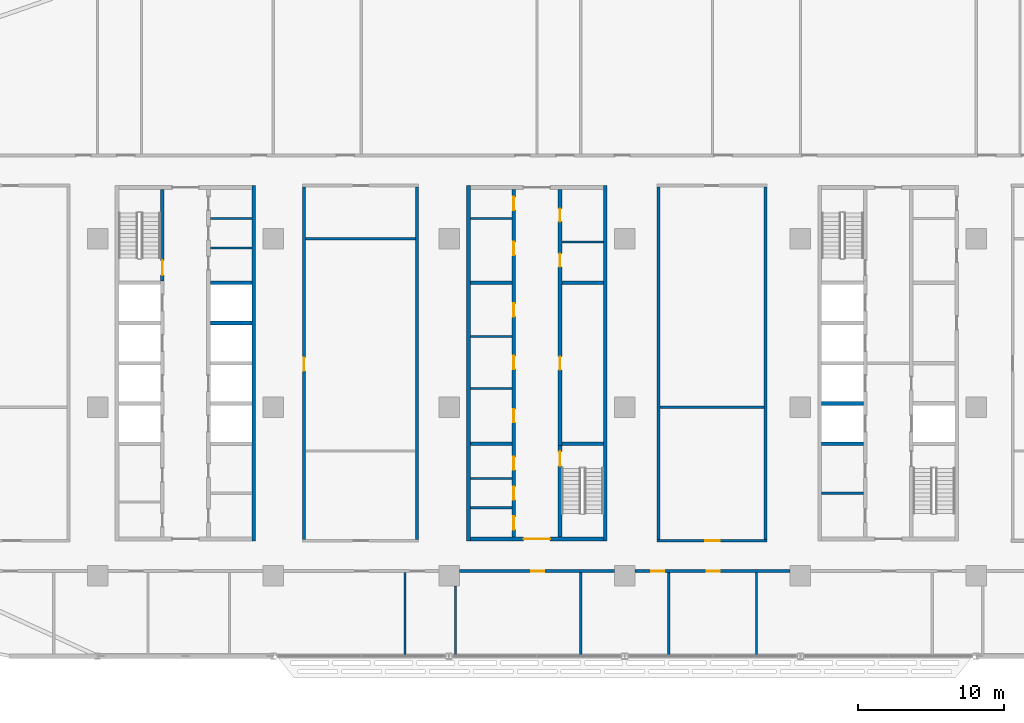
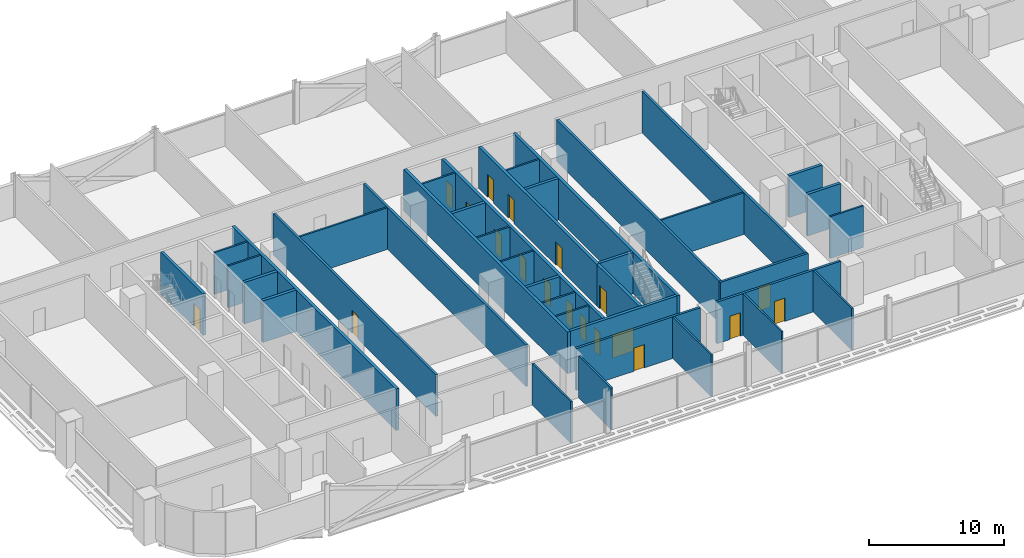
# One storey, part 13 of 29: 39 walls, 19 doors, 19 openings.
"""IFC4 building model written with IfcOpenShell, lengths in metres."""

from ifc_helpers import new_model, si_unit, direction, frame, frame_2d, origin, place, context, subcontext, project, spatial, rectangle, extrude, material, layer, layer_set, type_object, element, fill, save


model = new_model("IFC4")

# Units and contexts
model_context = context("Model", 3, precision=1e-05, world=origin(), true_north=direction((0.0, 1.0)))
body_context = subcontext(model_context, "Body", "Model", "MODEL_VIEW")
ifc_project = project(units=[si_unit("LENGTHUNIT", "METRE"), si_unit("AREAUNIT", "SQUARE_METRE"), si_unit("VOLUMEUNIT", "CUBIC_METRE"), si_unit("PLANEANGLEUNIT", "RADIAN"), si_unit("MASSUNIT", "GRAM", prefix="KILO")], contexts=[model_context])

# Site, building, storey
site_placement = place(None, origin())
site = spatial("IfcSite", under=ifc_project, at=site_placement, CompositionType="ELEMENT")
building_placement = place(site_placement, origin())
building = spatial("IfcBuilding", under=site, at=building_placement, Name="Mahtab Terrace Research Tower", CompositionType="ELEMENT")
storey_placement = place(building_placement, frame((0.0, 0.0, 97.10009765625)))
storey = spatial("IfcBuildingStorey", under=building, at=storey_placement, Name="L22", CompositionType="ELEMENT", Elevation=97.10009765625)

# Walls
ifc_material_1 = material(Name="Gypsum board partition")
ifc_layer_1 = layer(ifc_material_1, 0.14990234375)
ifc_layer_set_1 = layer_set([ifc_layer_1], Name="Core partition 150")
wall_type_1 = type_object("IfcWallType", Name="Core partition 150", PredefinedType="PARTITIONING", material=ifc_layer_set_1)
for number, where, z_axis, x_axis, name in (
    (1, (-22.300048828125, 10.875, 0.0), (0.0, 0.0, 1.0), (1.0, 0.0, 0.0), "Core wall A pEN788"),
    (2, (-22.300048828125, 12.875, 0.0), (0.0, 0.0, 1.0), (1.0, 0.0, 0.0), "Core wall A pEN988"),
    (3, (-4.550048828125, 1.280029296875, 0.0), (0.0, 0.0, 1.0), (1.0, 0.0, 0.0), "Core wall B pWL-172"),
    (4, (-4.550048828125, 4.827392578125, 0.0), (0.0, 0.0, 1.0), (1.0, 0.0, 0.0), "Core wall B pWL183"),
    (5, (-4.550048828125, -6.875, 0.0), (0.0, 0.0, 1.0), (1.0, 0.0, 0.0), "Core wall B pWS-988"),
    (6, (-4.550048828125, -4.875, 0.0), (0.0, 0.0, 1.0), (1.0, 0.0, 0.0), "Core wall B pWS-788"),
    (7, (-4.550048828125, 12.875, 0.0), (0.0, 0.0, 1.0), (1.0, 0.0, 0.0), "Core wall B pWN988"),
    (8, (1.699951171875, 11.27490234375, 0.0), (0.0, 0.0, 1.0), (1.0, 0.0, 0.0), "Core wall B pEN828"),
    (9, (19.449951171875, -5.875, 0.0), (0.0, 0.0, 1.0), (1.0, 0.0, 0.0), "Core wall C pWS-888"),
):
    element("IfcWall", number, at=place(storey_placement, frame(where, z_axis=z_axis, x_axis=x_axis)), inside=storey, type_object=wall_type_1, Name=name, PredefinedType="PARTITIONING", context=body_context, shape_type="SweptSolid", body=[
        extrude(rectangle(XDim=2.85009765625, YDim=0.14990234375, at=frame_2d((1.425048828125, 0.0))), origin(), (0.0, 0.0, 1.0), 3.760009765625),
    ])
ifc_material_2 = material(Name="Concrete C70/85", Category="concrete")
ifc_layer_2 = layer(ifc_material_2, 0.25)
ifc_layer_set_2 = layer_set([ifc_layer_2], Name="Core wall 250")
wall_type_2 = type_object("IfcWallType", Name="Core wall 250", PredefinedType="SOLIDWALL", material=ifc_layer_set_2)
wall_1_placement = place(storey_placement, frame((-19.324951171875, -9.125, 0.0), z_axis=(0.0, 0.0, 1.0), x_axis=(0.0, 1.0, 0.0)))
element("IfcWall", 10, at=wall_1_placement, inside=storey, type_object=wall_type_2, Name="Core wall A outerE", PredefinedType="SOLIDWALL", context=body_context, shape_type="SweptSolid", body=[
    extrude(rectangle(XDim=24.25, YDim=0.25, at=frame_2d((12.125, 0.0))), origin(), (0.0, 0.0, 1.0), 3.760009765625),
])

# Wall, opening, door
wall_2_placement = place(storey_placement, frame((-25.574951171875, 14.875, 0.0), z_axis=(0.0, 0.0, 1.0), x_axis=(0.0, -1.0, 0.0)))
wall_2 = element("IfcWall", 11, at=wall_2_placement, inside=storey, type_object=wall_type_2, Name="Core wall A innerWN", PredefinedType="SOLIDWALL", context=body_context, shape_type="SweptSolid", body=[
    extrude(rectangle(XDim=6.25, YDim=0.25, at=frame_2d((3.125, 0.0))), origin(), (0.0, 0.0, 1.0), 3.760009765625),
])
opening_1_placement = place(wall_2_placement, frame((4.85009765625, 0.0, 0.0)))
opening_1 = element("IfcOpeningElement", 12, at=opening_1_placement, cuts=wall_2, Name="Opening A-ST1", PredefinedType="OPENING", context=body_context, shape_type="SweptSolid", body=[
    extrude(rectangle(XDim=1.0, YDim=2.10009765625, at=frame_2d((0.5, 1.050048828125))), frame((0.0, 0.135009765625, 0.0), z_axis=(0.0, -1.0, 0.0), x_axis=(1.0, 0.0, 0.0)), (0.0, 0.0, 1.0), 0.27001953125),
])
ifc_material_3 = material(Name="Steel fire door", Category="steel")
door_type_1 = type_object("IfcDoorType", Name="Stair door 1000x2100 1.5 HR", OperationType="NOTDEFINED", PredefinedType="DOOR", material=ifc_material_3)
door_1_placement = place(opening_1_placement, origin())
door_1 = element("IfcDoor", 13, at=door_1_placement, inside=storey, type_object=door_type_1, Name="Stair door ST1 L22", OperationType="SINGLE_SWING_RIGHT", OverallHeight=2.10009765625, OverallWidth=1.0, PredefinedType="DOOR", context=body_context, shape_type="SweptSolid", body=[
    extrude(rectangle(XDim=1.0, YDim=2.10009765625, at=frame_2d((0.5, 1.050048828125))), frame((0.0, 0.02490234375, 0.0), z_axis=(0.0, -1.0, 0.0), x_axis=(1.0, 0.0, 0.0)), (0.0, 0.0, 1.0), 0.050048828125),
])
fill(opening_1, door_1)

# Walls
for number, where, z_axis, x_axis, name in (
    (14, (-22.300048828125, 5.75, 0.0), (0.0, 0.0, 1.0), (1.0, 0.0, 0.0), "Core wall A divE3"),
    (15, (-22.300048828125, 8.5, 0.0), (0.0, 0.0, 1.0), (1.0, 0.0, 0.0), "Core wall A divE4"),
):
    element("IfcWall", number, at=place(storey_placement, frame(where, z_axis=z_axis, x_axis=x_axis)), inside=storey, type_object=wall_type_2, Name=name, PredefinedType="SOLIDWALL", context=body_context, shape_type="SweptSolid", body=[
        extrude(rectangle(XDim=2.85009765625, YDim=0.25, at=frame_2d((1.425048828125, 0.0))), origin(), (0.0, 0.0, 1.0), 3.760009765625),
    ])
for number, where, z_axis, x_axis, name in (
    (16, (-4.675048828125, 15.125, 0.0), (0.0, 0.0, 1.0), (0.0, -1.0, 0.0), "Core wall B outerW"),
    (17, (4.675048828125, -9.125, 0.0), (0.0, 0.0, 1.0), (0.0, 1.0, 0.0), "Core wall B outerE"),
):
    element("IfcWall", number, at=place(storey_placement, frame(where, z_axis=z_axis, x_axis=x_axis)), inside=storey, type_object=wall_type_2, Name=name, PredefinedType="SOLIDWALL", context=body_context, shape_type="SweptSolid", body=[
        extrude(rectangle(XDim=24.25, YDim=0.25, at=frame_2d((12.125, 0.0))), origin(), (0.0, 0.0, 1.0), 3.760009765625),
    ])

# Wall, opening, door
wall_3_placement = place(storey_placement, frame((4.550048828125, -9.0, 0.0), z_axis=(0.0, 0.0, 1.0), x_axis=(-1.0, 0.0, 0.0)))
wall_3 = element("IfcWall", 18, at=wall_3_placement, inside=storey, type_object=wall_type_2, Name="Core wall B endS", PredefinedType="SOLIDWALL", context=body_context, shape_type="SweptSolid", body=[
    extrude(rectangle(XDim=9.10009765625, YDim=0.25, at=frame_2d((4.550048828125, 0.0))), origin(), (0.0, 0.0, 1.0), 3.760009765625),
])
opening_2_placement = place(wall_3_placement, frame((3.64990234375, 0.0, 0.0)))
opening_2 = element("IfcOpeningElement", 19, at=opening_2_placement, cuts=wall_3, Name="Opening B-S1", PredefinedType="OPENING", context=body_context, shape_type="SweptSolid", body=[
    extrude(rectangle(XDim=1.800048828125, YDim=2.10009765625, at=frame_2d((0.89990234375, 1.050048828125))), frame((0.0, 0.135009765625, 0.0), z_axis=(0.0, -1.0, 0.0), x_axis=(1.0, 0.0, 0.0)), (0.0, 0.0, 1.0), 0.27001953125),
])
door_type_2 = type_object("IfcDoorType", Name="Lobby double door 1800x2100 1 HR", OperationType="DOUBLE_DOOR_SINGLE_SWING", PredefinedType="DOOR", material=ifc_material_3)
door_2_placement = place(opening_2_placement, origin())
door_2 = element("IfcDoor", 20, at=door_2_placement, inside=storey, type_object=door_type_2, Name="Core entrance door B S", OperationType="DOUBLE_DOOR_SINGLE_SWING", OverallHeight=2.10009765625, OverallWidth=1.800048828125, PredefinedType="DOOR", context=body_context, shape_type="SweptSolid", body=[
    extrude(rectangle(XDim=1.800048828125, YDim=2.10009765625, at=frame_2d((0.89990234375, 1.050048828125))), frame((0.0, 0.02490234375, 0.0), z_axis=(0.0, -1.0, 0.0), x_axis=(1.0, 0.0, 0.0)), (0.0, 0.0, 1.0), 0.050048828125),
])
fill(opening_2, door_2)

# Wall, openings, doors
wall_4_placement = place(storey_placement, frame((-1.574951171875, -8.875, 0.0), z_axis=(0.0, 0.0, 1.0), x_axis=(0.0, 1.0, 0.0)))
wall_4 = element("IfcWall", 21, at=wall_4_placement, inside=storey, type_object=wall_type_2, Name="Core wall B innerWSLN", PredefinedType="SOLIDWALL", context=body_context, shape_type="SweptSolid", body=[
    extrude(rectangle(XDim=23.75, YDim=0.25, at=frame_2d((11.875, 0.0))), origin(), (0.0, 0.0, 1.0), 3.760009765625),
])
opening_3_placement = place(wall_4_placement, frame((7.840087890625, 0.0, 0.0)))
opening_3 = element("IfcOpeningElement", 22, at=opening_3_placement, cuts=wall_4, Name="Opening B-R1", PredefinedType="OPENING", context=body_context, shape_type="SweptSolid", body=[
    extrude(rectangle(XDim=0.89990234375, YDim=2.10009765625, at=frame_2d((0.449951171875, 1.050048828125))), frame((0.0, 0.135009765625, 0.0), z_axis=(0.0, -1.0, 0.0), x_axis=(1.0, 0.0, 0.0)), (0.0, 0.0, 1.0), 0.27001953125),
])
opening_4_placement = place(wall_4_placement, frame((11.478759765625, 0.0, 0.0)))
opening_4 = element("IfcOpeningElement", 23, at=opening_4_placement, cuts=wall_4, Name="Opening B-R2", PredefinedType="OPENING", context=body_context, shape_type="SweptSolid", body=[
    extrude(rectangle(XDim=0.89990234375, YDim=2.10009765625, at=frame_2d((0.449951171875, 1.050048828125))), frame((0.0, 0.135009765625, 0.0), z_axis=(0.0, -1.0, 0.0), x_axis=(1.0, 0.0, 0.0)), (0.0, 0.0, 1.0), 0.27001953125),
])
opening_5_placement = place(wall_4_placement, frame((15.063720703125, 0.0, 0.0)))
opening_5 = element("IfcOpeningElement", 24, at=opening_5_placement, cuts=wall_4, Name="Opening B-R3", PredefinedType="OPENING", context=body_context, shape_type="SweptSolid", body=[
    extrude(rectangle(XDim=0.89990234375, YDim=2.10009765625, at=frame_2d((0.449951171875, 1.050048828125))), frame((0.0, 0.135009765625, 0.0), z_axis=(0.0, -1.0, 0.0), x_axis=(1.0, 0.0, 0.0)), (0.0, 0.0, 1.0), 0.27001953125),
])
opening_6_placement = place(wall_4_placement, frame((0.512451171875, 0.0, 0.0)))
opening_6 = element("IfcOpeningElement", 25, at=opening_6_placement, cuts=wall_4, Name="Opening B-R5", PredefinedType="OPENING", context=body_context, shape_type="SweptSolid", body=[
    extrude(rectangle(XDim=0.89990234375, YDim=2.10009765625, at=frame_2d((0.449951171875, 1.050048828125))), frame((0.0, 0.135009765625, 0.0), z_axis=(0.0, -1.0, 0.0), x_axis=(1.0, 0.0, 0.0)), (0.0, 0.0, 1.0), 0.27001953125),
])
opening_7_placement = place(wall_4_placement, frame((2.550048828125, 0.0, 0.0)))
opening_7 = element("IfcOpeningElement", 26, at=opening_7_placement, cuts=wall_4, Name="Opening B-R6", PredefinedType="OPENING", context=body_context, shape_type="SweptSolid", body=[
    extrude(rectangle(XDim=0.89990234375, YDim=2.10009765625, at=frame_2d((0.449951171875, 1.050048828125))), frame((0.0, 0.135009765625, 0.0), z_axis=(0.0, -1.0, 0.0), x_axis=(1.0, 0.0, 0.0)), (0.0, 0.0, 1.0), 0.27001953125),
])
opening_8_placement = place(wall_4_placement, frame((4.58740234375, 0.0, 0.0)))
opening_8 = element("IfcOpeningElement", 27, at=opening_8_placement, cuts=wall_4, Name="Opening B-R7", PredefinedType="OPENING", context=body_context, shape_type="SweptSolid", body=[
    extrude(rectangle(XDim=0.89990234375, YDim=2.10009765625, at=frame_2d((0.449951171875, 1.050048828125))), frame((0.0, 0.135009765625, 0.0), z_axis=(0.0, -1.0, 0.0), x_axis=(1.0, 0.0, 0.0)), (0.0, 0.0, 1.0), 0.27001953125),
])
opening_9_placement = place(wall_4_placement, frame((19.262451171875, 0.0, 0.0)))
opening_9 = element("IfcOpeningElement", 28, at=opening_9_placement, cuts=wall_4, Name="Opening B-R8", PredefinedType="OPENING", context=body_context, shape_type="SweptSolid", body=[
    extrude(rectangle(XDim=0.89990234375, YDim=2.10009765625, at=frame_2d((0.449951171875, 1.050048828125))), frame((0.0, 0.135009765625, 0.0), z_axis=(0.0, -1.0, 0.0), x_axis=(1.0, 0.0, 0.0)), (0.0, 0.0, 1.0), 0.27001953125),
])
opening_10_placement = place(wall_4_placement, frame((22.33740234375, 0.0, 0.0)))
opening_10 = element("IfcOpeningElement", 29, at=opening_10_placement, cuts=wall_4, Name="Opening B-R9", PredefinedType="OPENING", context=body_context, shape_type="SweptSolid", body=[
    extrude(rectangle(XDim=0.89990234375, YDim=2.10009765625, at=frame_2d((0.449951171875, 1.050048828125))), frame((0.0, 0.135009765625, 0.0), z_axis=(0.0, -1.0, 0.0), x_axis=(1.0, 0.0, 0.0)), (0.0, 0.0, 1.0), 0.27001953125),
])
door_type_3 = type_object("IfcDoorType", Name="Room door 900x2100 1 HR", OperationType="NOTDEFINED", PredefinedType="DOOR", material=ifc_material_3)
door_3_placement = place(opening_3_placement, origin())
door_3 = element("IfcDoor", 30, at=door_3_placement, inside=storey, type_object=door_type_3, Name="Battery room door", OperationType="SINGLE_SWING_LEFT", OverallHeight=2.10009765625, OverallWidth=0.89990234375, PredefinedType="DOOR", context=body_context, shape_type="SweptSolid", body=[
    extrude(rectangle(XDim=0.89990234375, YDim=2.10009765625, at=frame_2d((0.449951171875, 1.050048828125))), frame((0.0, 0.02490234375, 0.0), z_axis=(0.0, -1.0, 0.0), x_axis=(1.0, 0.0, 0.0)), (0.0, 0.0, 1.0), 0.050048828125),
])
fill(opening_3, door_3)
door_4_placement = place(opening_4_placement, origin())
door_4 = element("IfcDoor", 31, at=door_4_placement, inside=storey, type_object=door_type_3, Name="Cooling plant room door", OperationType="SINGLE_SWING_RIGHT", OverallHeight=2.10009765625, OverallWidth=0.89990234375, PredefinedType="DOOR", context=body_context, shape_type="SweptSolid", body=[
    extrude(rectangle(XDim=0.89990234375, YDim=2.10009765625, at=frame_2d((0.449951171875, 1.050048828125))), frame((0.0, 0.02490234375, 0.0), z_axis=(0.0, -1.0, 0.0), x_axis=(1.0, 0.0, 0.0)), (0.0, 0.0, 1.0), 0.050048828125),
])
fill(opening_4, door_4)
door_5_placement = place(opening_5_placement, origin())
door_5 = element("IfcDoor", 32, at=door_5_placement, inside=storey, type_object=door_type_3, Name="Spare parts store door", OperationType="SINGLE_SWING_LEFT", OverallHeight=2.10009765625, OverallWidth=0.89990234375, PredefinedType="DOOR", context=body_context, shape_type="SweptSolid", body=[
    extrude(rectangle(XDim=0.89990234375, YDim=2.10009765625, at=frame_2d((0.449951171875, 1.050048828125))), frame((0.0, 0.02490234375, 0.0), z_axis=(0.0, -1.0, 0.0), x_axis=(1.0, 0.0, 0.0)), (0.0, 0.0, 1.0), 0.050048828125),
])
fill(opening_5, door_5)
door_6_placement = place(opening_6_placement, origin())
door_6 = element("IfcDoor", 33, at=door_6_placement, inside=storey, type_object=door_type_3, Name="Comms riser room door", OperationType="SINGLE_SWING_LEFT", OverallHeight=2.10009765625, OverallWidth=0.89990234375, PredefinedType="DOOR", context=body_context, shape_type="SweptSolid", body=[
    extrude(rectangle(XDim=0.89990234375, YDim=2.10009765625, at=frame_2d((0.449951171875, 1.050048828125))), frame((0.0, 0.02490234375, 0.0), z_axis=(0.0, -1.0, 0.0), x_axis=(1.0, 0.0, 0.0)), (0.0, 0.0, 1.0), 0.050048828125),
])
fill(opening_6, door_6)
door_7_placement = place(opening_7_placement, origin())
door_7 = element("IfcDoor", 34, at=door_7_placement, inside=storey, type_object=door_type_3, Name="Pantry door", OperationType="SINGLE_SWING_RIGHT", OverallHeight=2.10009765625, OverallWidth=0.89990234375, PredefinedType="DOOR", context=body_context, shape_type="SweptSolid", body=[
    extrude(rectangle(XDim=0.89990234375, YDim=2.10009765625, at=frame_2d((0.449951171875, 1.050048828125))), frame((0.0, 0.02490234375, 0.0), z_axis=(0.0, -1.0, 0.0), x_axis=(1.0, 0.0, 0.0)), (0.0, 0.0, 1.0), 0.050048828125),
])
fill(opening_7, door_7)
door_8_placement = place(opening_8_placement, origin())
door_8 = element("IfcDoor", 35, at=door_8_placement, inside=storey, type_object=door_type_3, Name="Cleaners store door", OperationType="SINGLE_SWING_LEFT", OverallHeight=2.10009765625, OverallWidth=0.89990234375, PredefinedType="DOOR", context=body_context, shape_type="SweptSolid", body=[
    extrude(rectangle(XDim=0.89990234375, YDim=2.10009765625, at=frame_2d((0.449951171875, 1.050048828125))), frame((0.0, 0.02490234375, 0.0), z_axis=(0.0, -1.0, 0.0), x_axis=(1.0, 0.0, 0.0)), (0.0, 0.0, 1.0), 0.050048828125),
])
fill(opening_8, door_8)
door_9_placement = place(opening_9_placement, origin())
door_9 = element("IfcDoor", 36, at=door_9_placement, inside=storey, type_object=door_type_3, Name="IT equipment room door", OperationType="SINGLE_SWING_RIGHT", OverallHeight=2.10009765625, OverallWidth=0.89990234375, PredefinedType="DOOR", context=body_context, shape_type="SweptSolid", body=[
    extrude(rectangle(XDim=0.89990234375, YDim=2.10009765625, at=frame_2d((0.449951171875, 1.050048828125))), frame((0.0, 0.02490234375, 0.0), z_axis=(0.0, -1.0, 0.0), x_axis=(1.0, 0.0, 0.0)), (0.0, 0.0, 1.0), 0.050048828125),
])
fill(opening_9, door_9)
door_10_placement = place(opening_10_placement, origin())
door_10 = element("IfcDoor", 37, at=door_10_placement, inside=storey, type_object=door_type_3, Name="Electrical riser room door", OperationType="SINGLE_SWING_LEFT", OverallHeight=2.10009765625, OverallWidth=0.89990234375, PredefinedType="DOOR", context=body_context, shape_type="SweptSolid", body=[
    extrude(rectangle(XDim=0.89990234375, YDim=2.10009765625, at=frame_2d((0.449951171875, 1.050048828125))), frame((0.0, 0.02490234375, 0.0), z_axis=(0.0, -1.0, 0.0), x_axis=(1.0, 0.0, 0.0)), (0.0, 0.0, 1.0), 0.050048828125),
])
fill(opening_10, door_10)

# Wall, opening, door
wall_5_placement = place(storey_placement, frame((1.574951171875, -8.875, 0.0), z_axis=(0.0, 0.0, 1.0), x_axis=(0.0, 1.0, 0.0)))
wall_5 = element("IfcWall", 38, at=wall_5_placement, inside=storey, type_object=wall_type_2, Name="Core wall B innerES", PredefinedType="SOLIDWALL", context=body_context, shape_type="SweptSolid", body=[
    extrude(rectangle(XDim=6.25, YDim=0.25, at=frame_2d((3.125, 0.0))), origin(), (0.0, 0.0, 1.0), 3.760009765625),
])
opening_11_placement = place(wall_5_placement, frame((4.85009765625, 0.0, 0.0)))
opening_11 = element("IfcOpeningElement", 39, at=opening_11_placement, cuts=wall_5, Name="Opening B-ST2", PredefinedType="OPENING", context=body_context, shape_type="SweptSolid", body=[
    extrude(rectangle(XDim=1.0, YDim=2.10009765625, at=frame_2d((0.5, 1.050048828125))), frame((0.0, 0.135009765625, 0.0), z_axis=(0.0, -1.0, 0.0), x_axis=(1.0, 0.0, 0.0)), (0.0, 0.0, 1.0), 0.27001953125),
])
door_11_placement = place(opening_11_placement, origin())
door_11 = element("IfcDoor", 40, at=door_11_placement, inside=storey, type_object=door_type_1, Name="Stair door ST2 L22", OperationType="SINGLE_SWING_RIGHT", OverallHeight=2.10009765625, OverallWidth=1.0, PredefinedType="DOOR", context=body_context, shape_type="SweptSolid", body=[
    extrude(rectangle(XDim=1.0, YDim=2.10009765625, at=frame_2d((0.5, 1.050048828125))), frame((0.0, 0.02490234375, 0.0), z_axis=(0.0, -1.0, 0.0), x_axis=(1.0, 0.0, 0.0)), (0.0, 0.0, 1.0), 0.050048828125),
])
fill(opening_11, door_11)

# Wall, openings, doors
wall_6_placement = place(storey_placement, frame((1.574951171875, 14.875, 0.0), z_axis=(0.0, 0.0, 1.0), x_axis=(0.0, -1.0, 0.0)))
wall_6 = element("IfcWall", 41, at=wall_6_placement, inside=storey, type_object=wall_type_2, Name="Core wall B innerELN", PredefinedType="SOLIDWALL", context=body_context, shape_type="SweptSolid", body=[
    extrude(rectangle(XDim=17.5, YDim=0.25, at=frame_2d((8.75, 0.0))), origin(), (0.0, 0.0, 1.0), 3.760009765625),
])
opening_12_placement = place(wall_6_placement, frame((11.425048828125, 0.0, 0.0)))
opening_12 = element("IfcOpeningElement", 42, at=opening_12_placement, cuts=wall_6, Name="Opening B-R4", PredefinedType="OPENING", context=body_context, shape_type="SweptSolid", body=[
    extrude(rectangle(XDim=0.89990234375, YDim=2.10009765625, at=frame_2d((0.449951171875, 1.050048828125))), frame((0.0, 0.135009765625, 0.0), z_axis=(0.0, -1.0, 0.0), x_axis=(1.0, 0.0, 0.0)), (0.0, 0.0, 1.0), 0.27001953125),
])
opening_13_placement = place(wall_6_placement, frame((4.387451171875, 0.0, 0.0)))
opening_13 = element("IfcOpeningElement", 43, at=opening_13_placement, cuts=wall_6, Name="Opening B-R10", PredefinedType="OPENING", context=body_context, shape_type="SweptSolid", body=[
    extrude(rectangle(XDim=0.89990234375, YDim=2.10009765625, at=frame_2d((0.449951171875, 1.050048828125))), frame((0.0, 0.135009765625, 0.0), z_axis=(0.0, -1.0, 0.0), x_axis=(1.0, 0.0, 0.0)), (0.0, 0.0, 1.0), 0.27001953125),
])
opening_14_placement = place(wall_6_placement, frame((1.3125, 0.0, 0.0)))
opening_14 = element("IfcOpeningElement", 44, at=opening_14_placement, cuts=wall_6, Name="Opening B-R11", PredefinedType="OPENING", context=body_context, shape_type="SweptSolid", body=[
    extrude(rectangle(XDim=0.89990234375, YDim=2.10009765625, at=frame_2d((0.449951171875, 1.050048828125))), frame((0.0, 0.135009765625, 0.0), z_axis=(0.0, -1.0, 0.0), x_axis=(1.0, 0.0, 0.0)), (0.0, 0.0, 1.0), 0.27001953125),
])
door_12_placement = place(opening_12_placement, origin())
door_12 = element("IfcDoor", 45, at=door_12_placement, inside=storey, type_object=door_type_3, Name="Plant room door", OperationType="SINGLE_SWING_RIGHT", OverallHeight=2.10009765625, OverallWidth=0.89990234375, PredefinedType="DOOR", context=body_context, shape_type="SweptSolid", body=[
    extrude(rectangle(XDim=0.89990234375, YDim=2.10009765625, at=frame_2d((0.449951171875, 1.050048828125))), frame((0.0, 0.02490234375, 0.0), z_axis=(0.0, -1.0, 0.0), x_axis=(1.0, 0.0, 0.0)), (0.0, 0.0, 1.0), 0.050048828125),
])
fill(opening_12, door_12)
door_13_placement = place(opening_13_placement, origin())
door_13 = element("IfcDoor", 46, at=door_13_placement, inside=storey, type_object=door_type_3, Name="Accessible WC door", OperationType="SINGLE_SWING_RIGHT", OverallHeight=2.10009765625, OverallWidth=0.89990234375, PredefinedType="DOOR", context=body_context, shape_type="SweptSolid", body=[
    extrude(rectangle(XDim=0.89990234375, YDim=2.10009765625, at=frame_2d((0.449951171875, 1.050048828125))), frame((0.0, 0.02490234375, 0.0), z_axis=(0.0, -1.0, 0.0), x_axis=(1.0, 0.0, 0.0)), (0.0, 0.0, 1.0), 0.050048828125),
])
fill(opening_13, door_13)
door_14_placement = place(opening_14_placement, origin())
door_14 = element("IfcDoor", 47, at=door_14_placement, inside=storey, type_object=door_type_3, Name="WC block door", OperationType="SINGLE_SWING_LEFT", OverallHeight=2.10009765625, OverallWidth=0.89990234375, PredefinedType="DOOR", context=body_context, shape_type="SweptSolid", body=[
    extrude(rectangle(XDim=0.89990234375, YDim=2.10009765625, at=frame_2d((0.449951171875, 1.050048828125))), frame((0.0, 0.02490234375, 0.0), z_axis=(0.0, -1.0, 0.0), x_axis=(1.0, 0.0, 0.0)), (0.0, 0.0, 1.0), 0.050048828125),
])
fill(opening_14, door_14)

# Walls
for number, where, z_axis, x_axis, name in (
    (48, (-4.550048828125, -2.5, 0.0), (0.0, 0.0, 1.0), (1.0, 0.0, 0.0), "Core wall B divW0"),
    (49, (-4.550048828125, 8.5, 0.0), (0.0, 0.0, 1.0), (1.0, 0.0, 0.0), "Core wall B divW4"),
    (50, (1.699951171875, -2.5, 0.0), (0.0, 0.0, 1.0), (1.0, 0.0, 0.0), "Core wall B divE0"),
    (51, (1.699951171875, 8.5, 0.0), (0.0, 0.0, 1.0), (1.0, 0.0, 0.0), "Core wall B divE4"),
    (52, (19.449951171875, -2.5, 0.0), (0.0, 0.0, 1.0), (1.0, 0.0, 0.0), "Core wall C divW0"),
    (53, (19.449951171875, 0.25, 0.0), (0.0, 0.0, 1.0), (1.0, 0.0, 0.0), "Core wall C divW1"),
):
    element("IfcWall", number, at=place(storey_placement, frame(where, z_axis=z_axis, x_axis=x_axis)), inside=storey, type_object=wall_type_2, Name=name, PredefinedType="SOLIDWALL", context=body_context, shape_type="SweptSolid", body=[
        extrude(rectangle(XDim=2.85009765625, YDim=0.25, at=frame_2d((1.425048828125, 0.0))), origin(), (0.0, 0.0, 1.0), 3.760009765625),
    ])

# Wall, opening, door
ifc_material_4 = material(Name="Gypsum board corridor wall on steel studs", Category="steel")
ifc_layer_3 = layer(ifc_material_4, 0.199951171875)
ifc_layer_set_3 = layer_set([ifc_layer_3], Name="WALL CORRIDOR 200")
wall_type_3 = type_object("IfcWallType", Name="WALL CORRIDOR 200", PredefinedType="PARTITIONING", material=ifc_layer_set_3)
wall_7_placement = place(storey_placement, frame((-5.300048828125, -11.199951171875, 0.0), z_axis=(0.0, 0.0, 1.0), x_axis=(1.0, 0.0, 0.0)))
wall_7 = element("IfcWall", 54, at=wall_7_placement, inside=storey, type_object=wall_type_3, Name="L22-W004", PredefinedType="PARTITIONING", context=body_context, shape_type="SweptSolid", body=[
    extrude(rectangle(XDim=10.60009765625, YDim=0.199951171875, at=frame_2d((5.300048828125, 0.0))), origin(), (0.0, 0.0, 1.0), 3.760009765625),
])
opening_15_placement = place(wall_7_placement, frame((4.89990234375, 0.0, 0.0)))
opening_15 = element("IfcOpeningElement", 55, at=opening_15_placement, cuts=wall_7, Name="Opening L22-106", PredefinedType="OPENING", context=body_context, shape_type="SweptSolid", body=[
    extrude(rectangle(XDim=0.89990234375, YDim=2.10009765625, at=frame_2d((0.449951171875, 1.050048828125))), frame((0.0, 0.10986328125, 0.0), z_axis=(0.0, -1.0, 0.0), x_axis=(1.0, 0.0, 0.0)), (0.0, 0.0, 1.0), 0.219970703125),
])
ifc_material_5 = material(Name="Timber door leaf in steel frame", Category="steel")
door_type_4 = type_object("IfcDoorType", Name="DOOR 0900X2100 FD30S", OperationType="SINGLE_SWING_LEFT", PredefinedType="DOOR", material=ifc_material_5)
door_15_placement = place(opening_15_placement, origin())
door_15 = element("IfcDoor", 56, at=door_15_placement, inside=storey, type_object=door_type_4, Name="Door L22-106", OperationType="SINGLE_SWING_LEFT", OverallHeight=2.10009765625, OverallWidth=0.89990234375, PredefinedType="DOOR", context=body_context, shape_type="SweptSolid", body=[
    extrude(rectangle(XDim=0.89990234375, YDim=2.10009765625, at=frame_2d((0.449951171875, 1.050048828125))), frame((0.0, 0.02490234375, 0.0), z_axis=(0.0, -1.0, 0.0), x_axis=(1.0, 0.0, 0.0)), (0.0, 0.0, 1.0), 0.050048828125),
])
fill(opening_15, door_15)

# Wall, openings, doors
wall_8_placement = place(storey_placement, frame((6.699951171875, -11.199951171875, 0.0), z_axis=(0.0, 0.0, 1.0), x_axis=(1.0, 0.0, 0.0)))
wall_8 = element("IfcWall", 57, at=wall_8_placement, inside=storey, type_object=wall_type_3, Name="L22-W005", PredefinedType="PARTITIONING", context=body_context, shape_type="SweptSolid", body=[
    extrude(rectangle(XDim=10.60009765625, YDim=0.199951171875, at=frame_2d((5.300048828125, 0.0))), origin(), (0.0, 0.0, 1.0), 3.760009765625),
])
opening_16_placement = place(wall_8_placement, frame((1.10009765625, 0.0, 0.0)))
opening_16 = element("IfcOpeningElement", 58, at=opening_16_placement, cuts=wall_8, Name="Opening L22-107", PredefinedType="OPENING", context=body_context, shape_type="SweptSolid", body=[
    extrude(rectangle(XDim=0.89990234375, YDim=2.10009765625, at=frame_2d((0.449951171875, 1.050048828125))), frame((0.0, 0.10986328125, 0.0), z_axis=(0.0, -1.0, 0.0), x_axis=(1.0, 0.0, 0.0)), (0.0, 0.0, 1.0), 0.219970703125),
])
opening_17_placement = place(wall_8_placement, frame((4.89990234375, 0.0, 0.0)))
opening_17 = element("IfcOpeningElement", 59, at=opening_17_placement, cuts=wall_8, Name="Opening L22-108", PredefinedType="OPENING", context=body_context, shape_type="SweptSolid", body=[
    extrude(rectangle(XDim=0.89990234375, YDim=2.10009765625, at=frame_2d((0.449951171875, 1.050048828125))), frame((0.0, 0.10986328125, 0.0), z_axis=(0.0, -1.0, 0.0), x_axis=(1.0, 0.0, 0.0)), (0.0, 0.0, 1.0), 0.219970703125),
])
door_16_placement = place(opening_16_placement, origin())
door_16 = element("IfcDoor", 60, at=door_16_placement, inside=storey, type_object=door_type_4, Name="Door L22-107", OperationType="SINGLE_SWING_RIGHT", OverallHeight=2.10009765625, OverallWidth=0.89990234375, PredefinedType="DOOR", context=body_context, shape_type="SweptSolid", body=[
    extrude(rectangle(XDim=0.89990234375, YDim=2.10009765625, at=frame_2d((0.449951171875, 1.050048828125))), frame((0.0, 0.02490234375, 0.0), z_axis=(0.0, -1.0, 0.0), x_axis=(1.0, 0.0, 0.0)), (0.0, 0.0, 1.0), 0.050048828125),
])
fill(opening_16, door_16)
door_17_placement = place(opening_17_placement, origin())
door_17 = element("IfcDoor", 61, at=door_17_placement, inside=storey, type_object=door_type_4, Name="Door L22-108", OperationType="SINGLE_SWING_LEFT", OverallHeight=2.10009765625, OverallWidth=0.89990234375, PredefinedType="DOOR", context=body_context, shape_type="SweptSolid", body=[
    extrude(rectangle(XDim=0.89990234375, YDim=2.10009765625, at=frame_2d((0.449951171875, 1.050048828125))), frame((0.0, 0.02490234375, 0.0), z_axis=(0.0, -1.0, 0.0), x_axis=(1.0, 0.0, 0.0)), (0.0, 0.0, 1.0), 0.050048828125),
])
fill(opening_17, door_17)

# Wall, opening, door
wall_9_placement = place(storey_placement, frame((8.199951171875, -9.125, 0.0), z_axis=(0.0, 0.0, 1.0), x_axis=(1.0, 0.0, 0.0)))
wall_9 = element("IfcWall", 62, at=wall_9_placement, inside=storey, type_object=wall_type_3, Name="L22-W011", PredefinedType="PARTITIONING", context=body_context, shape_type="SweptSolid", body=[
    extrude(rectangle(XDim=7.5, YDim=0.199951171875, at=frame_2d((3.75, 0.0))), origin(), (0.0, 0.0, 1.0), 3.760009765625),
])
opening_18_placement = place(wall_9_placement, frame((3.300048828125, 0.0, 0.0)))
opening_18 = element("IfcOpeningElement", 63, at=opening_18_placement, cuts=wall_9, Name="Opening L22-118", PredefinedType="OPENING", context=body_context, shape_type="SweptSolid", body=[
    extrude(rectangle(XDim=1.0, YDim=2.10009765625, at=frame_2d((0.5, 1.050048828125))), frame((0.0, 0.10986328125, 0.0), z_axis=(0.0, -1.0, 0.0), x_axis=(1.0, 0.0, 0.0)), (0.0, 0.0, 1.0), 0.219970703125),
])
door_type_5 = type_object("IfcDoorType", Name="DOOR 1000X2100 FD30S", OperationType="SINGLE_SWING_LEFT", PredefinedType="DOOR", material=ifc_material_5)
door_18_placement = place(opening_18_placement, origin())
door_18 = element("IfcDoor", 64, at=door_18_placement, inside=storey, type_object=door_type_5, Name="Door L22-118", OperationType="SINGLE_SWING_RIGHT", OverallHeight=2.10009765625, OverallWidth=1.0, PredefinedType="DOOR", context=body_context, shape_type="SweptSolid", body=[
    extrude(rectangle(XDim=1.0, YDim=2.10009765625, at=frame_2d((0.5, 1.050048828125))), frame((0.0, 0.02490234375, 0.0), z_axis=(0.0, -1.0, 0.0), x_axis=(1.0, 0.0, 0.0)), (0.0, 0.0, 1.0), 0.050048828125),
])
fill(opening_18, door_18)

wall_10_placement = place(storey_placement, frame((-15.89990234375, -9.02490234375, 0.0), z_axis=(0.0, 0.0, 1.0), x_axis=(0.0, 1.0, 0.0)))
wall_10 = element("IfcWall", 65, at=wall_10_placement, inside=storey, type_object=wall_type_3, Name="L22-W033", PredefinedType="PARTITIONING", context=body_context, shape_type="SweptSolid", body=[
    extrude(rectangle(XDim=24.0498046875, YDim=0.199951171875, at=frame_2d((12.02490234375, 0.0))), origin(), (0.0, 0.0, 1.0), 3.760009765625),
])
opening_19_placement = place(wall_10_placement, frame((11.5, 0.0, 0.0)))
opening_19 = element("IfcOpeningElement", 66, at=opening_19_placement, cuts=wall_10, Name="Opening L22-119", PredefinedType="OPENING", context=body_context, shape_type="SweptSolid", body=[
    extrude(rectangle(XDim=0.89990234375, YDim=2.10009765625, at=frame_2d((0.449951171875, 1.050048828125))), frame((0.0, 0.10986328125, 0.0), z_axis=(0.0, -1.0, 0.0), x_axis=(1.0, 0.0, 0.0)), (0.0, 0.0, 1.0), 0.219970703125),
])
door_19_placement = place(opening_19_placement, origin())
door_19 = element("IfcDoor", 67, at=door_19_placement, inside=storey, type_object=door_type_4, Name="Door L22-119", OperationType="SINGLE_SWING_RIGHT", OverallHeight=2.10009765625, OverallWidth=0.89990234375, PredefinedType="DOOR", context=body_context, shape_type="SweptSolid", body=[
    extrude(rectangle(XDim=0.89990234375, YDim=2.10009765625, at=frame_2d((0.449951171875, 1.050048828125))), frame((0.0, 0.02490234375, 0.0), z_axis=(0.0, -1.0, 0.0), x_axis=(1.0, 0.0, 0.0)), (0.0, 0.0, 1.0), 0.050048828125),
])
fill(opening_19, door_19)

# Walls
for number, where, z_axis, x_axis, name in (
    (68, (-8.199951171875, -9.02490234375, 0.0), (0.0, 0.0, 1.0), (0.0, 1.0, 0.0), "L22-W036"),
    (69, (8.300048828125, -9.02490234375, 0.0), (0.0, 0.0, 1.0), (0.0, 1.0, 0.0), "L22-W041"),
    (70, (15.60009765625, -9.02490234375, 0.0), (0.0, 0.0, 1.0), (0.0, 1.0, 0.0), "L22-W045"),
):
    element("IfcWall", number, at=place(storey_placement, frame(where, z_axis=z_axis, x_axis=x_axis)), inside=storey, type_object=wall_type_3, Name=name, PredefinedType="PARTITIONING", context=body_context, shape_type="SweptSolid", body=[
        extrude(rectangle(XDim=24.0498046875, YDim=0.199951171875, at=frame_2d((12.02490234375, 0.0))), origin(), (0.0, 0.0, 1.0), 3.760009765625),
    ])
ifc_material_6 = material(Name="Gypsum board partition on steel studs", Category="steel")
ifc_layer_4 = layer(ifc_material_6, 0.14990234375)
ifc_layer_set_4 = layer_set([ifc_layer_4], Name="WALL PARTITION 150")
wall_type_4 = type_object("IfcWallType", Name="WALL PARTITION 150", PredefinedType="PARTITIONING", material=ifc_layer_set_4)
wall_11_placement = place(storey_placement, frame((8.39990234375, 0.0, 0.0), z_axis=(0.0, 0.0, 1.0), x_axis=(1.0, 0.0, 0.0)))
element("IfcWall", 71, at=wall_11_placement, inside=storey, type_object=wall_type_4, Name="L22-W016", PredefinedType="PARTITIONING", context=body_context, shape_type="SweptSolid", body=[
    extrude(rectangle(XDim=7.10009765625, YDim=0.14990234375, at=frame_2d((3.550048828125, 0.0))), origin(), (0.0, 0.0, 1.0), 3.760009765625),
])
wall_12_placement = place(storey_placement, frame((-15.800048828125, 11.5, 0.0), z_axis=(0.0, 0.0, 1.0), x_axis=(1.0, 0.0, 0.0)))
element("IfcWall", 72, at=wall_12_placement, inside=storey, type_object=wall_type_4, Name="L22-W017", PredefinedType="PARTITIONING", context=body_context, shape_type="SweptSolid", body=[
    extrude(rectangle(XDim=7.5, YDim=0.14990234375, at=frame_2d((3.75, 0.0))), origin(), (0.0, 0.0, 1.0), 3.760009765625),
])
wall_13_placement = place(storey_placement, frame((-9.0, -16.97509765625, 0.0), z_axis=(0.0, 0.0, 1.0), x_axis=(0.0, 1.0, 0.0)))
element("IfcWall", 73, at=wall_13_placement, inside=storey, type_object=wall_type_4, Name="L22-W035", PredefinedType="PARTITIONING", context=body_context, shape_type="SweptSolid", body=[
    extrude(rectangle(XDim=5.675048828125, YDim=0.14990234375, at=frame_2d((2.83740234375, 0.0))), origin(), (0.0, 0.0, 1.0), 3.760009765625),
])
wall_14_placement = place(storey_placement, frame((-5.550048828125, -16.97509765625, 0.0), z_axis=(0.0, 0.0, 1.0), x_axis=(0.0, 1.0, 0.0)))
element("IfcWall", 74, at=wall_14_placement, inside=storey, type_object=wall_type_4, Name="L22-W037", PredefinedType="PARTITIONING", context=body_context, shape_type="SweptSolid", body=[
    extrude(rectangle(XDim=4.775146484375, YDim=0.14990234375, at=frame_2d((2.3876953125, 0.0))), origin(), (0.0, 0.0, 1.0), 3.760009765625),
])
for number, where, z_axis, x_axis, name in (
    (75, (3.0, -16.97509765625, 0.0), (0.0, 0.0, 1.0), (0.0, 1.0, 0.0), "L22-W039"),
    (76, (9.0, -16.97509765625, 0.0), (0.0, 0.0, 1.0), (0.0, 1.0, 0.0), "L22-W042"),
    (77, (15.0, -16.97509765625, 0.0), (0.0, 0.0, 1.0), (0.0, 1.0, 0.0), "L22-W044"),
):
    element("IfcWall", number, at=place(storey_placement, frame(where, z_axis=z_axis, x_axis=x_axis)), inside=storey, type_object=wall_type_4, Name=name, PredefinedType="PARTITIONING", context=body_context, shape_type="SweptSolid", body=[
        extrude(rectangle(XDim=5.675048828125, YDim=0.14990234375, at=frame_2d((2.83740234375, 0.0))), origin(), (0.0, 0.0, 1.0), 3.760009765625),
    ])

save(model, "model.ifc")
